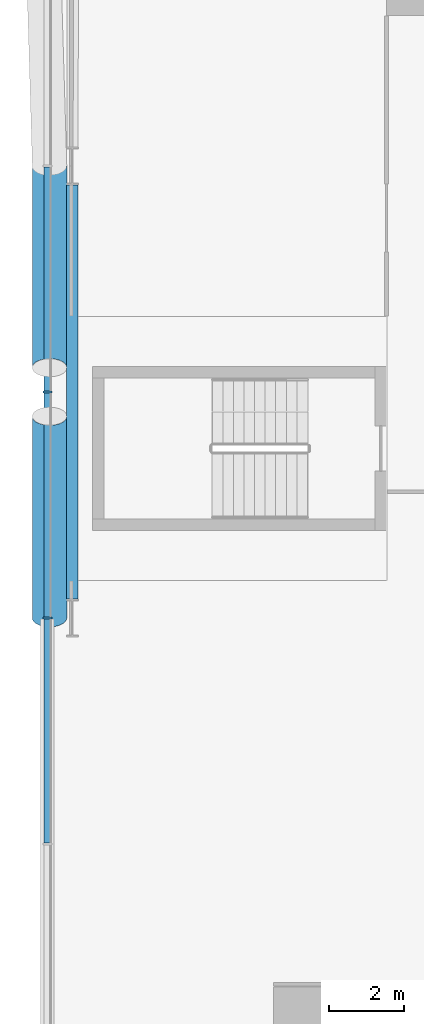
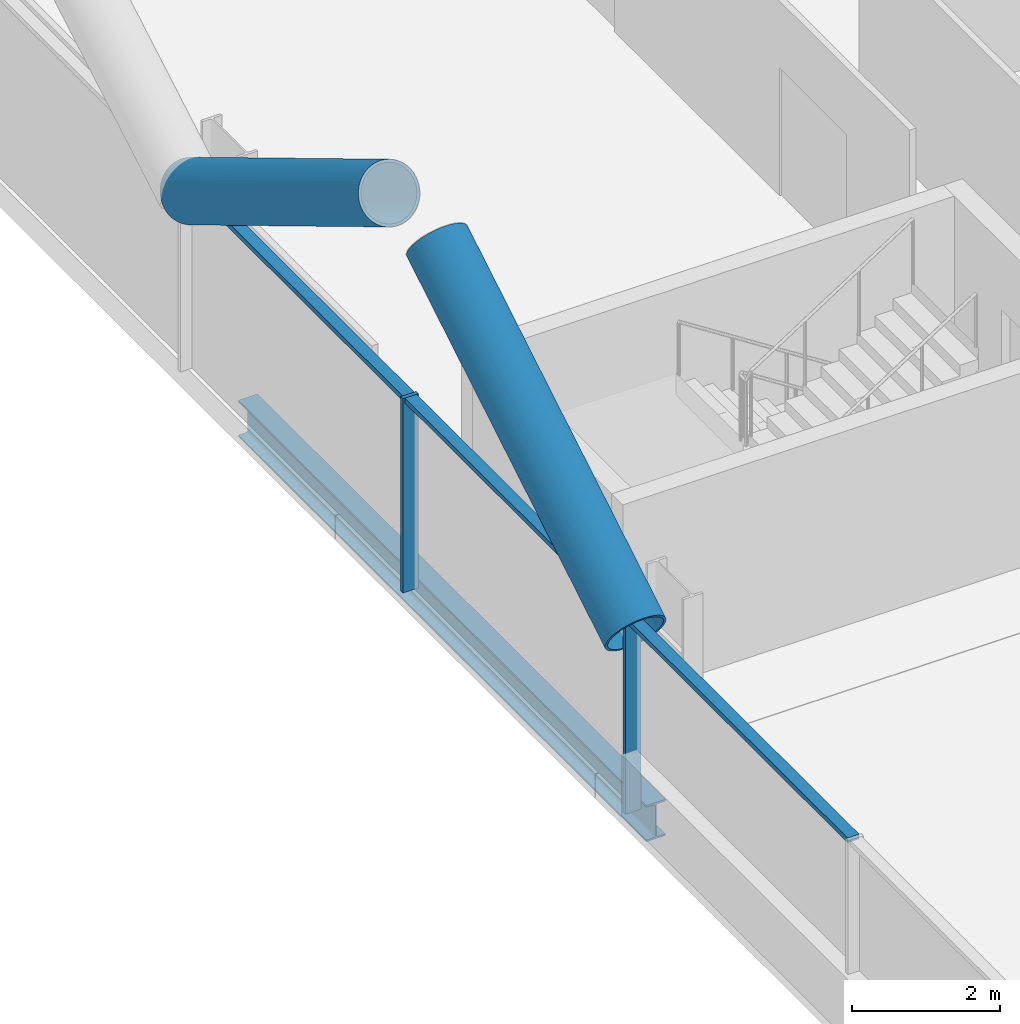
# One storey, part 5 of 27: 7 members, 1 beam, 1 element without a shape of its own.
"""IFC4 building model written with IfcOpenShell, lengths in metres."""

from ifc_helpers import new_model, si_unit, direction, frame, origin, origin_2d, place, context, subcontext, project, spatial, rectangle, hollow_circle, i_section, extrude, material, material_profile, profile_set, type_object, element, aggregate, save


model = new_model("IFC4")

# Units and contexts
model_context = context("Model", 3, precision=1e-05, world=origin(), true_north=direction((0.0, 1.0)))
body_context = subcontext(model_context, "Body", "Model", "MODEL_VIEW")
ifc_project = project(units=[si_unit("LENGTHUNIT", "METRE"), si_unit("AREAUNIT", "SQUARE_METRE"), si_unit("VOLUMEUNIT", "CUBIC_METRE"), si_unit("PLANEANGLEUNIT", "RADIAN"), si_unit("MASSUNIT", "GRAM", prefix="KILO")], contexts=[model_context])

# Site, building, storey
site_placement = place(None, origin())
site = spatial("IfcSite", under=ifc_project, at=site_placement, CompositionType="ELEMENT")
building_placement = place(site_placement, origin())
building = spatial("IfcBuilding", under=site, at=building_placement, Name="Wharfspan Tower", CompositionType="ELEMENT")
storey_placement = place(building_placement, frame((0.0, 0.0, 73.899902)))
storey = spatial("IfcBuildingStorey", under=building, at=storey_placement, Name="L15", CompositionType="ELEMENT", Elevation=73.899902)

# Beam
ifc_material_1 = material(Name="Steel S355J2", Category="steel")
ifc_material_profile_1 = material_profile(ifc_material_1, i_section(OverallWidth=0.300049, OverallDepth=0.600098, WebThickness=0.015381, FlangeThickness=0.030029, FilletRadius=0.0271, at=origin_2d()))
ifc_profile_set_1 = profile_set([ifc_material_profile_1], Name="Steel S355J2")
beam_type = type_object("IfcBeamType", Name="Edge beam HEB 600", PredefinedType="SPANDREL", material=ifc_profile_set_1)
beam_placement = place(storey_placement, frame((0.659912, 29.5, -0.699951), z_axis=(0.0, -1.0, 0.0), x_axis=(1.0, 0.0, 0.0)))
element("IfcBeam", 1, at=beam_placement, inside=storey, type_object=beam_type, Name="Edge beam W L15 PW.1 to PW.2", PredefinedType="SPANDREL", context=body_context, shape_type="SweptSolid", body=[
    extrude(i_section(OverallWidth=0.300049, OverallDepth=0.600098, WebThickness=0.015381, FlangeThickness=0.030029, FilletRadius=0.0271, at=origin_2d()), origin(), (0.0, 0.0, 1.0), 11.0),
])

# Curtain wall, members
ifc_material_2 = material(Name="Aluminium 6063-T6", Category="aluminium")
curtain_wall_type = type_object("IfcCurtainWallType", Name="CURTAIN WALL PROW AND END", PredefinedType="NOTDEFINED", material=ifc_material_2)
curtain_wall_placement = place(storey_placement, origin())
curtain_wall = element("IfcCurtainWall", 2, at=curtain_wall_placement, inside=storey, type_object=curtain_wall_type, Name="Curtain wall W", PredefinedType="NOTDEFINED")
ifc_material_profile_2 = material_profile(ifc_material_2, rectangle(XDim=0.23999, YDim=0.060059, at=origin_2d()))
ifc_profile_set_2 = profile_set([ifc_material_profile_2], Name="Aluminium 6063-T6")
member_type_1 = type_object("IfcMemberType", Name="MULLION PROW AND END 60x240", PredefinedType="MULLION", material=ifc_profile_set_2)
member_1_placement = place(storey_placement, frame((0.0, 24.0, 0.0), z_axis=(0.0, 0.0, 1.0), x_axis=(1.0, 0.0, 0.0)))
member_1 = element("IfcMember", 3, at=member_1_placement, type_object=member_type_1, Name="Curtain wall W mullion 4", PredefinedType="MULLION", context=body_context, shape_type="SweptSolid", body=[
    extrude(rectangle(XDim=0.23999, YDim=0.060059, at=origin_2d()), origin(), (0.0, 0.0, 1.0), 3.200195),
])
member_2_placement = place(storey_placement, frame((0.0, 18.0, 0.0), z_axis=(0.0, 0.0, 1.0), x_axis=(1.0, 0.0, 0.0)))
member_2 = element("IfcMember", 4, at=member_2_placement, type_object=member_type_1, Name="Curtain wall W mullion 5", PredefinedType="MULLION", context=body_context, shape_type="SweptSolid", body=[
    extrude(rectangle(XDim=0.23999, YDim=0.060059, at=origin_2d()), origin(), (0.0, 0.0, 1.0), 3.200195),
])

# Members
ifc_material_3 = material(Name="Steel S460NH", Category="steel")
ifc_material_profile_3 = material_profile(ifc_material_3, hollow_circle(Radius=0.457031, WallThickness=0.040039, at=origin_2d()))
ifc_profile_set_3 = profile_set([ifc_material_profile_3], Name="Steel S460NH")
member_type_2 = type_object("IfcMemberType", Name="Mega brace CHS 914x40", PredefinedType="BRACE", material=ifc_profile_set_3)
for number, where, z_axis, x_axis, name in (
    (5, (0.054932, 30.0, 2.900146), (0.0, -0.8575, 0.514484), (1.0, 0.0, 0.0), "Mega brace W3 L16 part 1"),
    (6, (0.054932, 18.0, 2.900146), (0.0, 0.8575, 0.514484), (-1.0, 0.0, 0.0), "Mega brace W3 L16 part 3"),
):
    element("IfcMember", number, at=place(storey_placement, frame(where, z_axis=z_axis, x_axis=x_axis)), inside=storey, type_object=member_type_2, Name=name, PredefinedType="BRACE", context=body_context, shape_type="SweptSolid", body=[
        extrude(hollow_circle(Radius=0.457031, WallThickness=0.040039, at=origin_2d()), origin(), (0.0, 0.0, 1.0), 6.239258),
    ])

# Member
ifc_material_profile_4 = material_profile(ifc_material_2, rectangle(XDim=0.179932, YDim=0.080078, at=origin_2d()))
ifc_profile_set_4 = profile_set([ifc_material_profile_4], Name="Aluminium 6063-T6")
member_type_3 = type_object("IfcMemberType", Name="TRANSOM PROW AND END 80x180", PredefinedType="USERDEFINED", material=ifc_profile_set_4)
member_3_placement = place(storey_placement, frame((0.0, 29.969971, 3.160156), z_axis=(0.0, -1.0, 0.0), x_axis=(1.0, 0.0, 0.0)))
member_3 = element("IfcMember", 7, at=member_3_placement, type_object=member_type_3, Name="Curtain wall W transom 3", ObjectType="TRANSOM", PredefinedType="USERDEFINED", context=body_context, shape_type="SweptSolid", body=[
    extrude(rectangle(XDim=0.179932, YDim=0.080078, at=origin_2d()), origin(), (0.0, 0.0, 1.0), 5.939941),
])

member_4_placement = place(storey_placement, frame((0.0, 23.969971, 3.160156), z_axis=(0.0, -1.0, 0.0), x_axis=(1.0, 0.0, 0.0)))
member_4 = element("IfcMember", 8, at=member_4_placement, type_object=member_type_3, Name="Curtain wall W transom 4", ObjectType="TRANSOM", PredefinedType="USERDEFINED", context=body_context, shape_type="SweptSolid", body=[
    extrude(rectangle(XDim=0.179932, YDim=0.080078, at=origin_2d()), origin(), (0.0, 0.0, 1.0), 5.939941),
])

member_5_placement = place(storey_placement, frame((0.0, 17.969971, 3.160156), z_axis=(0.0, -1.0, 0.0), x_axis=(1.0, 0.0, 0.0)))
member_5 = element("IfcMember", 9, at=member_5_placement, type_object=member_type_3, Name="Curtain wall W transom 5", ObjectType="TRANSOM", PredefinedType="USERDEFINED", context=body_context, shape_type="SweptSolid", body=[
    extrude(rectangle(XDim=0.179932, YDim=0.080078, at=origin_2d()), origin(), (0.0, 0.0, 1.0), 5.939941),
])

aggregate(curtain_wall, [member_1, member_2, member_3, member_4, member_5])

save(model, "model.ifc")
